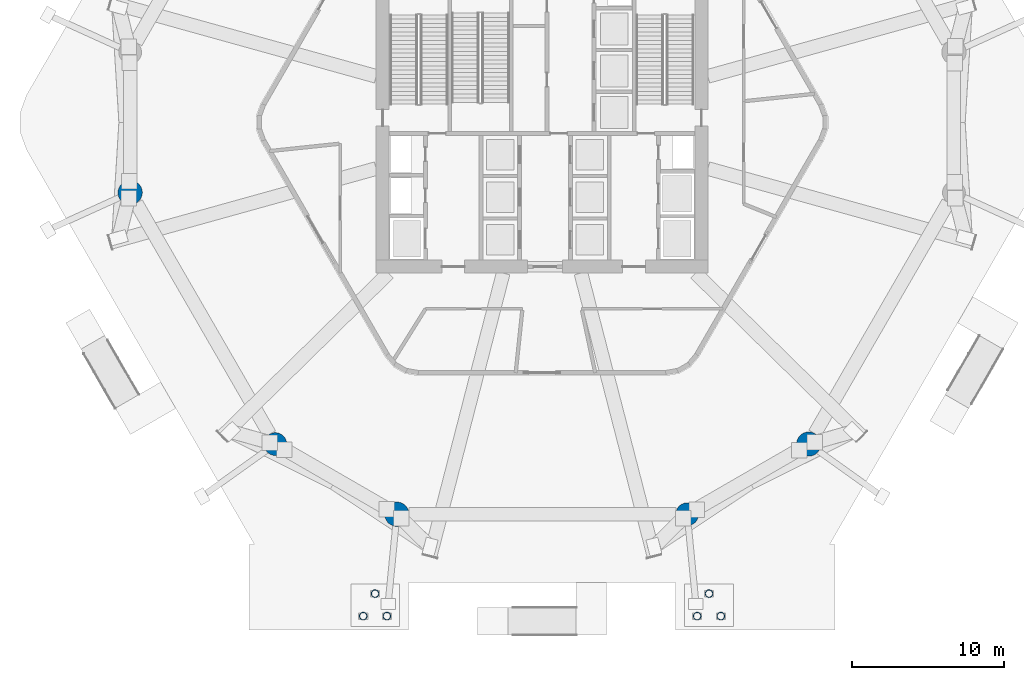
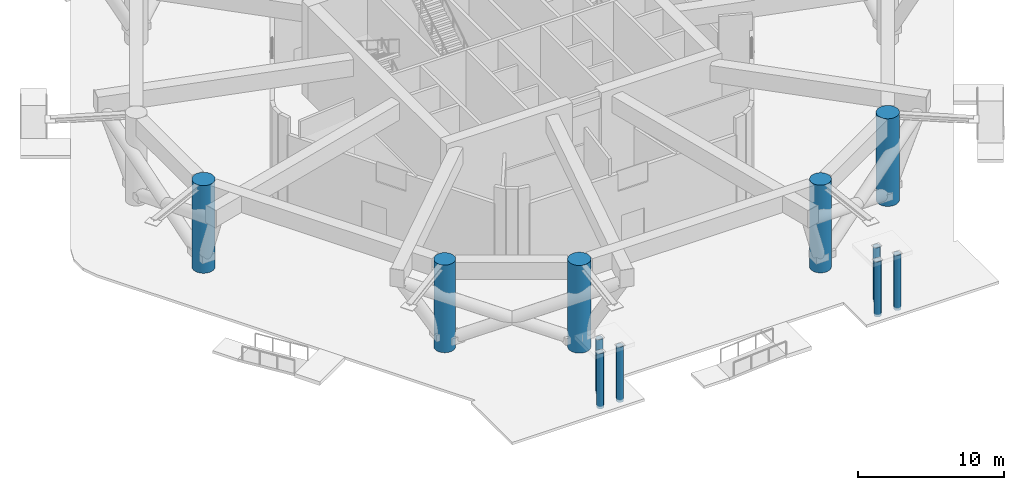
# One storey, part 1 of 17: 11 columns.
"""IFC4 building model written with IfcOpenShell, lengths in metres."""

from ifc_helpers import new_model, si_unit, direction, frame, origin, origin_2d, place, context, subcontext, project, spatial, circle, hollow_circle, extrude, material, material_profile, profile_set, type_object, element, save


model = new_model("IFC4")

# Units and contexts
model_context = context("Model", 3, precision=1e-05, world=origin(), true_north=direction((0.0, 1.0)))
body_context = subcontext(model_context, "Body", "Model", "MODEL_VIEW")
ifc_project = project(units=[si_unit("LENGTHUNIT", "METRE"), si_unit("AREAUNIT", "SQUARE_METRE"), si_unit("VOLUMEUNIT", "CUBIC_METRE"), si_unit("PLANEANGLEUNIT", "RADIAN"), si_unit("MASSUNIT", "GRAM", prefix="KILO")], contexts=[model_context])

# Site, building, storey
site_placement = place(None, origin())
site = spatial("IfcSite", under=ifc_project, at=site_placement, CompositionType="ELEMENT")
building_placement = place(site_placement, origin())
building = spatial("IfcBuilding", under=site, at=building_placement, Name="Zuhravey Tower", CompositionType="ELEMENT")
storey_placement = place(building_placement, origin())
storey = spatial("IfcBuildingStorey", under=building, at=storey_placement, Name="L01", CompositionType="ELEMENT", Elevation=0.0)

# Columns
ifc_material_1 = material(Name="Steel SM355", Category="steel")
ifc_material_profile_1 = material_profile(ifc_material_1, hollow_circle(Radius=0.25390625, WallThickness=0.02001953125, at=origin_2d()), Name="CHS-508x20")
ifc_profile_set_1 = profile_set([ifc_material_profile_1], Name="Steel SM355")
column_type_1 = type_object("IfcColumnType", Name="Lobby Pavilion Column CHS508x20", PredefinedType="COLUMN", material=ifc_profile_set_1)
for number, where, z_axis, x_axis, name in (
    (1, (24.219970703125, -0.52001953125, -0.219970703125), (0.0, 0.0, 1.0), (1.0, 0.0, 0.0), "L01 Entrance Canopy Column LC1-S1.1"),
    (2, (25.780029296875, -0.52001953125, -0.219970703125), (0.0, 0.0, 1.0), (1.0, 0.0, 0.0), "L01 Entrance Canopy Column LC1-S1.2"),
    (3, (25.0, 0.9599609375, -0.219970703125), (0.0, 0.0, 1.0), (1.0, 0.0, 0.0), "L01 Entrance Canopy Column LC1-S1.3"),
    (4, (46.219970703125, -0.52001953125, -0.219970703125), (0.0, 0.0, 1.0), (1.0, 0.0, 0.0), "L01 Entrance Canopy Column LC1-S2.1"),
    (5, (47.780029296875, -0.52001953125, -0.219970703125), (0.0, 0.0, 1.0), (1.0, 0.0, 0.0), "L01 Entrance Canopy Column LC1-S2.2"),
    (6, (47.0, 0.9599609375, -0.219970703125), (0.0, 0.0, 1.0), (1.0, 0.0, 0.0), "L01 Entrance Canopy Column LC1-S2.3"),
):
    element("IfcColumn", number, at=place(storey_placement, frame(where, z_axis=z_axis, x_axis=x_axis)), inside=storey, type_object=column_type_1, Name=name, PredefinedType="COLUMN", context=body_context, shape_type="SweptSolid", body=[
        extrude(hollow_circle(Radius=0.25390625, WallThickness=0.02001953125, at=origin_2d()), origin(), (0.0, 0.0, 1.0), 4.639892578125),
    ])
ifc_material_2 = material(Name="Concrete C60/75", Category="concrete")
ifc_material_profile_2 = material_profile(ifc_material_2, circle(Radius=0.75, at=origin_2d()), Name="RC-CIRC-1500")
ifc_profile_set_2 = profile_set([ifc_material_profile_2], Name="Concrete C60/75")
column_type_2 = type_object("IfcColumnType", Name="Stilt Pier C1500", PredefinedType="USERDEFINED", material=ifc_profile_set_2)
for number, where, z_axis, x_axis, name in (
    (7, (18.431884765625, 10.8134765625, 0.0), (0.0, 0.0, 1.0), (1.0, 0.0, 0.0), "L01 Monumental Concrete Stilt 08"),
    (8, (45.56396484375, 6.1923828125, 0.0), (0.0, 0.0, 1.0), (1.0, 0.0, 0.0), "L01 Monumental Concrete Stilt 10"),
):
    element("IfcColumn", number, at=place(storey_placement, frame(where, z_axis=z_axis, x_axis=x_axis)), inside=storey, type_object=column_type_2, Name=name, ObjectType="STILT_COLUMN", PredefinedType="USERDEFINED", context=body_context, shape_type="SweptSolid", body=[
        extrude(circle(Radius=0.75, at=origin_2d()), origin(), (0.0, 0.0, 1.0), 7.35009765625),
    ])
ifc_material_profile_3 = material_profile(ifc_material_2, circle(Radius=0.800048828125, at=origin_2d()), Name="RC-CIRC-1600")
ifc_profile_set_3 = profile_set([ifc_material_profile_3], Name="Concrete C60/75")
column_type_3 = type_object("IfcColumnType", Name="Stilt Pier C1600", PredefinedType="USERDEFINED", material=ifc_profile_set_3)
for number, where, z_axis, x_axis, name in (
    (9, (8.867919921875, 27.37890625, 0.0), (0.0, 0.0, 1.0), (1.0, 0.0, 0.0), "L01 Monumental Concrete Stilt 07"),
    (10, (26.43603515625, 6.1923828125, 0.0), (0.0, 0.0, 1.0), (1.0, 0.0, 0.0), "L01 Monumental Concrete Stilt 09"),
    (11, (53.568115234375, 10.8134765625, 0.0), (0.0, 0.0, 1.0), (1.0, 0.0, 0.0), "L01 Monumental Concrete Stilt 11"),
):
    element("IfcColumn", number, at=place(storey_placement, frame(where, z_axis=z_axis, x_axis=x_axis)), inside=storey, type_object=column_type_3, Name=name, ObjectType="STILT_COLUMN", PredefinedType="USERDEFINED", context=body_context, shape_type="SweptSolid", body=[
        extrude(circle(Radius=0.800048828125, at=origin_2d()), origin(), (0.0, 0.0, 1.0), 7.35009765625),
    ])

save(model, "model.ifc")
